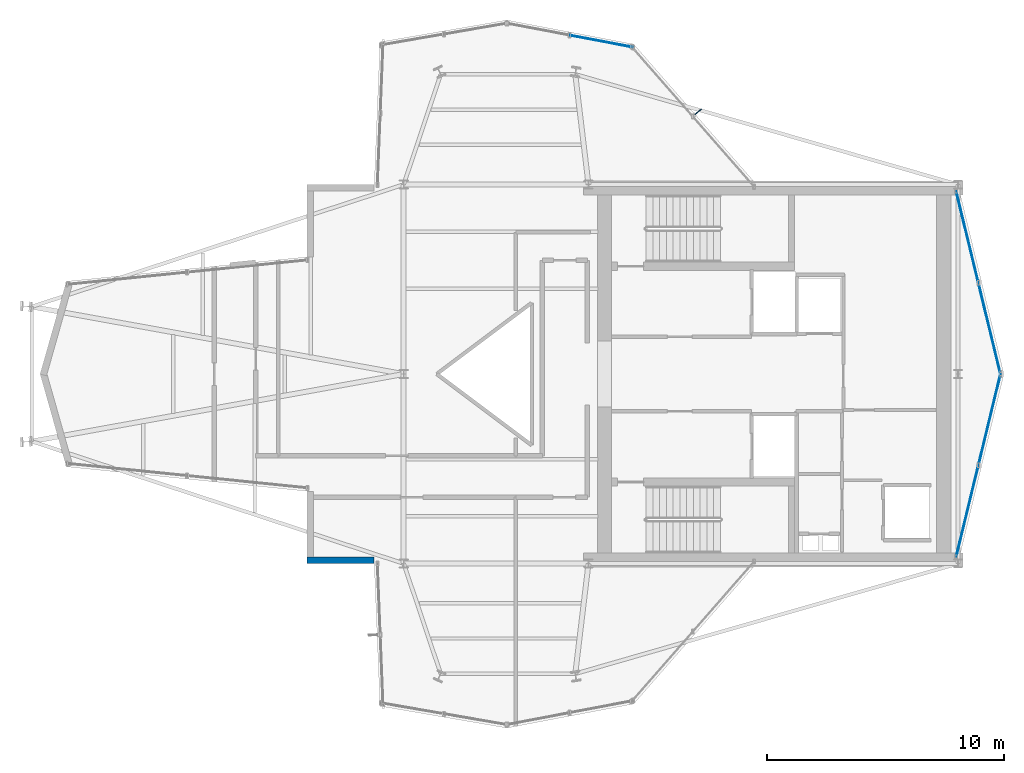
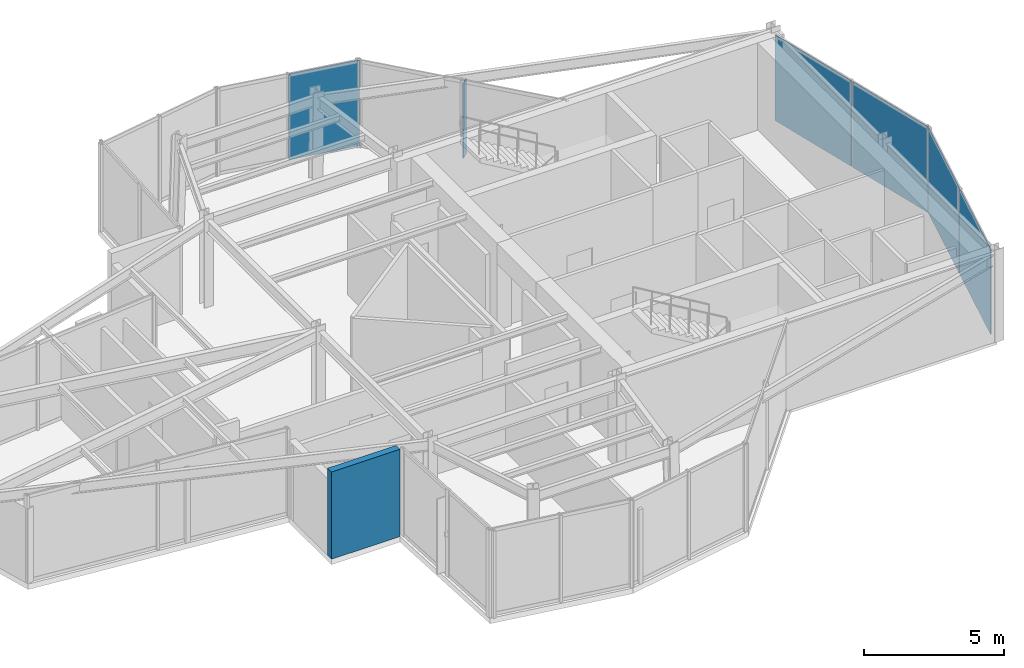
# One storey, part 10 of 13: 6 plates, 1 wall, 3 elements without a shape of their own.
"""IFC4 building model written with IfcOpenShell, lengths in metres."""

from ifc_helpers import new_model, si_unit, direction, frame, frame_2d, origin, origin_2d, place, context, subcontext, project, spatial, rectangle, extrude, material, layer, layer_set, type_object, element, aggregate, save


model = new_model("IFC4")

# Units and contexts
model_context = context("Model", 3, precision=1e-05, world=origin(), true_north=direction((0.0, 1.0)))
body_context = subcontext(model_context, "Body", "Model", "MODEL_VIEW")
ifc_project = project(units=[si_unit("LENGTHUNIT", "METRE"), si_unit("AREAUNIT", "SQUARE_METRE"), si_unit("VOLUMEUNIT", "CUBIC_METRE"), si_unit("PLANEANGLEUNIT", "RADIAN"), si_unit("MASSUNIT", "GRAM", prefix="KILO")], contexts=[model_context])

# Site, building, storey
site_placement = place(None, origin())
site = spatial("IfcSite", under=ifc_project, at=site_placement, CompositionType="ELEMENT")
building_placement = place(site_placement, origin())
building = spatial("IfcBuilding", under=site, at=building_placement, Name="Veymaron Broadcast Tower", CompositionType="ELEMENT")
storey_placement = place(building_placement, frame((0.0, 0.0, 274.949951171875)))
storey = spatial("IfcBuildingStorey", under=building, at=storey_placement, Name="L64", CompositionType="ELEMENT", Elevation=274.949951171875)

# Curtain wall, plates
ifc_material_1 = material(Name="Anodised aluminium AA 6063-T6 and laminated low-E dark glass", Category="aluminium")
ifc_layer_1 = layer(ifc_material_1, 0.179931640625)
ifc_layer_set_1 = layer_set([ifc_layer_1], Name="Anodised aluminium AA 6063-T6 and laminated low-E dark glass")
curtain_wall_type = type_object("IfcCurtainWallType", Name="CW-SYS-06", PredefinedType="NOTDEFINED", material=ifc_layer_set_1)
curtain_wall_1_placement = place(storey_placement, origin())
curtain_wall_1 = element("IfcCurtainWall", 1, at=curtain_wall_1_placement, inside=storey, type_object=curtain_wall_type, Name="L64 dark-glass curtain wall CW-L64-E2-1", PredefinedType="NOTDEFINED")
ifc_material_2 = material(Name="Insulated dark-anodised aluminium spandrel panel 40 mm", Category="aluminium")
ifc_layer_2 = layer(ifc_material_2, 0.0400390625)
ifc_layer_set_2 = layer_set([ifc_layer_2], Name="Insulated dark-anodised aluminium spandrel panel 40 mm")
plate_type_1 = type_object("IfcPlateType", Name="CW-PNL-03", PredefinedType="CURTAIN_PANEL", material=ifc_layer_set_2)
plate_1_placement = place(storey_placement, frame((54.99169921875, 18.20849609375, 0.0400390625), z_axis=(0.0, 0.0, 1.0), x_axis=(0.235701883419, 0.971825407238, 0.0)))
plate_1 = element("IfcPlate", 2, at=plate_1_placement, type_object=plate_type_1, Name="CW-L64-E2-1 unitised curtain panel 0", PredefinedType="CURTAIN_PANEL", context=body_context, shape_type="SweptSolid", body=[
    extrude(rectangle(XDim=3.935546875, YDim=0.0400390625, at=origin_2d()), origin(), (0.0, 0.0, 1.0), 3.72998046875),
])
plate_2_placement = place(storey_placement, frame((55.933349609375, 22.091552734375, 0.0400390625), z_axis=(0.0, 0.0, 1.0), x_axis=(0.235701883419, 0.971825407238, 0.0)))
plate_2 = element("IfcPlate", 3, at=plate_2_placement, type_object=plate_type_1, Name="CW-L64-E2-1 unitised curtain panel 1", PredefinedType="CURTAIN_PANEL", context=body_context, shape_type="SweptSolid", body=[
    extrude(rectangle(XDim=3.935546875, YDim=0.0400390625, at=origin_2d()), origin(), (0.0, 0.0, 1.0), 3.72998046875),
])
aggregate(curtain_wall_1, [plate_1, plate_2])

curtain_wall_2_placement = place(storey_placement, origin())
curtain_wall_2 = element("IfcCurtainWall", 4, at=curtain_wall_2_placement, inside=storey, type_object=curtain_wall_type, Name="L64 dark-glass curtain wall CW-L64-E3-1", PredefinedType="NOTDEFINED")
plate_3_placement = place(storey_placement, frame((55.933349609375, 25.908447265625, 0.0400390625), z_axis=(0.0, 0.0, 1.0), x_axis=(-0.235701883419, 0.971825407238, 0.0)))
plate_3 = element("IfcPlate", 5, at=plate_3_placement, type_object=plate_type_1, Name="CW-L64-E3-1 unitised curtain panel 0", PredefinedType="CURTAIN_PANEL", context=body_context, shape_type="SweptSolid", body=[
    extrude(rectangle(XDim=3.935546875, YDim=0.0400390625, at=origin_2d()), origin(), (0.0, 0.0, 1.0), 3.72998046875),
])
plate_4_placement = place(storey_placement, frame((54.99169921875, 29.79150390625, 0.0400390625), z_axis=(0.0, 0.0, 1.0), x_axis=(-0.235701883419, 0.971825407238, 0.0)))
plate_4 = element("IfcPlate", 6, at=plate_4_placement, type_object=plate_type_1, Name="CW-L64-E3-1 unitised curtain panel 1", PredefinedType="CURTAIN_PANEL", context=body_context, shape_type="SweptSolid", body=[
    extrude(rectangle(XDim=3.935546875, YDim=0.0400390625, at=origin_2d()), origin(), (0.0, 0.0, 1.0), 3.72998046875),
])
aggregate(curtain_wall_2, [plate_3, plate_4])

# Curtain wall, plate
curtain_wall_3_placement = place(storey_placement, origin())
curtain_wall_3 = element("IfcCurtainWall", 7, at=curtain_wall_3_placement, inside=storey, type_object=curtain_wall_type, Name="L64 dark-glass curtain wall CW-L64-E6-1", PredefinedType="NOTDEFINED")
plate_5_placement = place(storey_placement, frame((39.545654296875, 38.04541015625, 0.0400390625), z_axis=(0.0, 0.0, 1.0), x_axis=(-0.982479684732, 0.186369710761, 0.0)))
plate_5 = element("IfcPlate", 8, at=plate_5_placement, type_object=plate_type_1, Name="CW-L64-E6-1 unitised curtain panel 0", PredefinedType="CURTAIN_PANEL", context=body_context, shape_type="SweptSolid", body=[
    extrude(rectangle(XDim=2.6669921875, YDim=0.0400390625, at=origin_2d()), origin(), (0.0, 0.0, 1.0), 3.72998046875),
])
aggregate(curtain_wall_3, [plate_5])

# Plate
ifc_material_3 = material(Name="Dark-anodised aluminium AA 6061-T6", Category="aluminium")
ifc_layer_3 = layer(ifc_material_3, 0.030029296875)
ifc_layer_set_3 = layer_set([ifc_layer_3], Name="Dark-anodised aluminium AA 6061-T6")
plate_type_2 = type_object("IfcPlateType", Name="FIN-CHEV-02", PredefinedType="USERDEFINED", material=ifc_layer_set_3)
plate_6_placement = place(storey_placement, frame((43.629638671875, 35.072998046875, 0.2666015625), z_axis=(0.0, 0.0, 1.0), x_axis=(0.752529860433, 0.658558128912, 0.0)))
element("IfcPlate", 9, at=plate_6_placement, inside=storey, type_object=plate_type_2, Name="CW-L64-E5-1 chevron fin 1", ObjectType="FIN", PredefinedType="USERDEFINED", context=body_context, shape_type="SweptSolid", body=[
    extrude(rectangle(XDim=0.35009765625, YDim=0.034912109375, at=origin_2d()), origin(), (0.0, 0.0, 1.0), 3.276611328125),
])

# Wall
ifc_material_4 = material(Name="Precast concrete C40/50", Category="concrete")
ifc_layer_4 = layer(ifc_material_4, 0.280029296875)
ifc_layer_set_4 = layer_set([ifc_layer_4], Name="Precast concrete C40/50")
wall_type = type_object("IfcWallType", Name="WALL-EXT-280", PredefinedType="STANDARD", material=ifc_layer_set_4)
wall_placement = place(storey_placement, frame((27.12158203125, 16.139892578125, 0.0), z_axis=(0.0, 0.0, 1.0), x_axis=(1.0, 0.0, 0.0)))
element("IfcWall", 10, at=wall_placement, inside=storey, type_object=wall_type, Name="L64 notched corner facade pier 16-1", PredefinedType="STANDARD", context=body_context, shape_type="SweptSolid", body=[
    extrude(rectangle(XDim=2.83203125, YDim=0.280029296875, at=frame_2d((1.416015625, 0.0))), origin(), (0.0, 0.0, 1.0), 3.81005859375),
])

save(model, "model.ifc")
